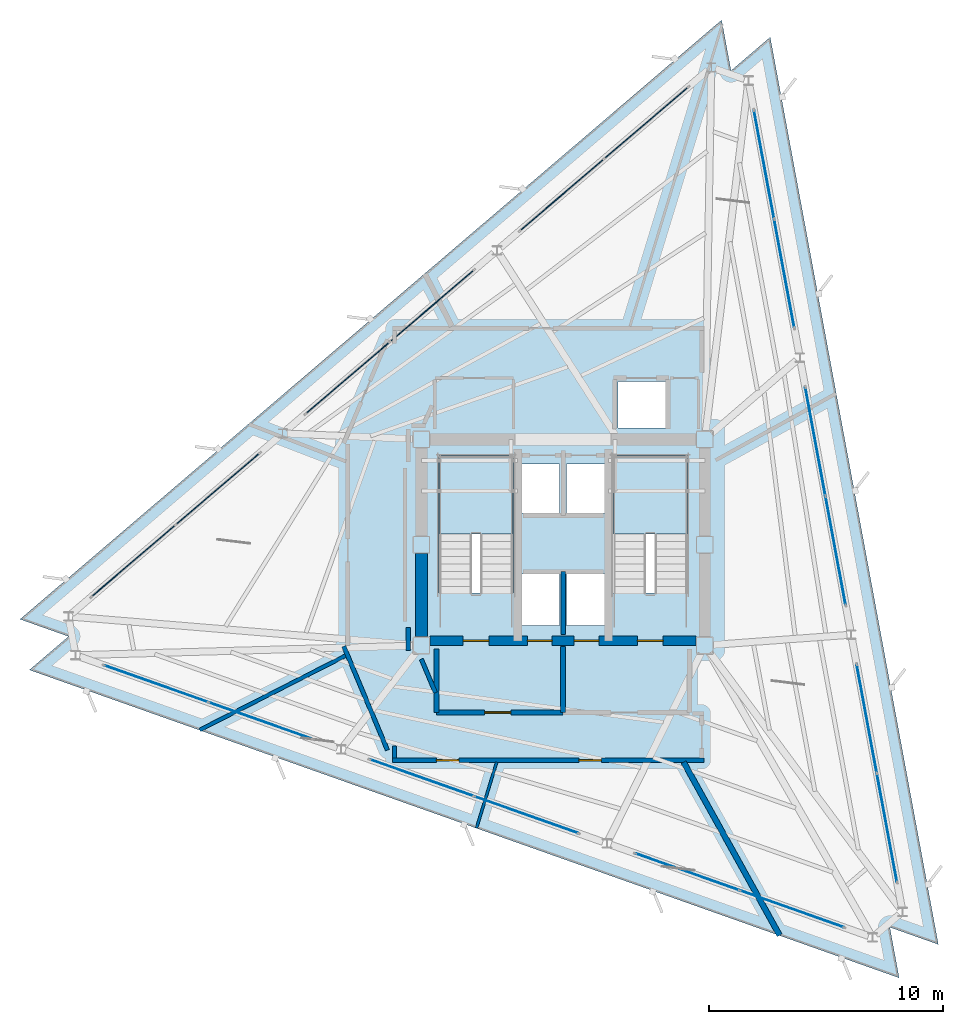
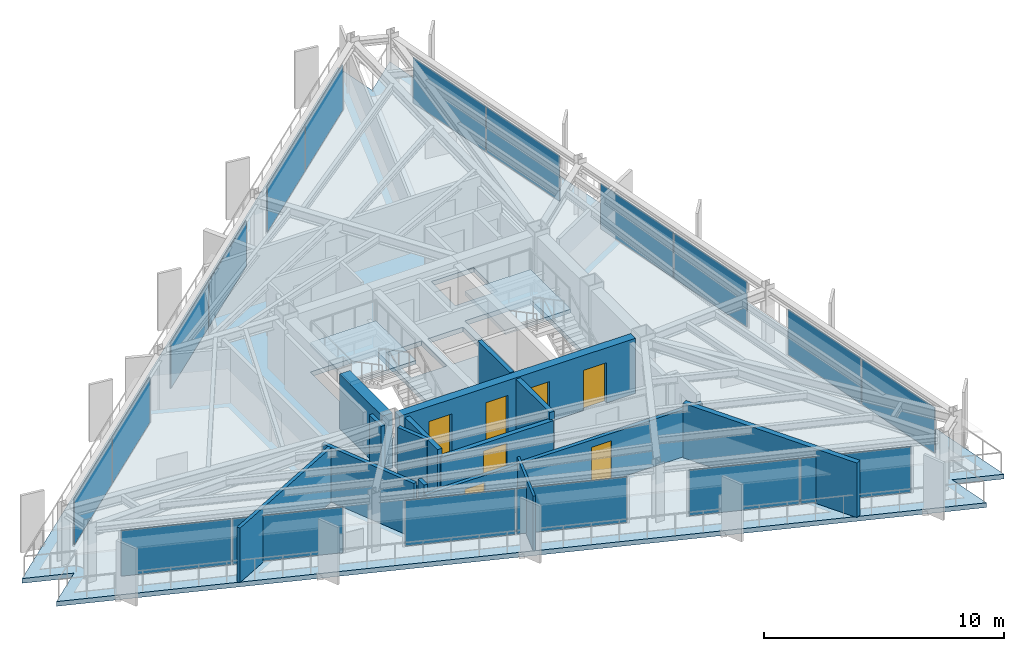
# One storey, part 8 of 14: 18 plates, 14 walls, 7 doors, 3 slabs, 7 openings, 11 elements without a shape of their own.
"""IFC4 building model written with IfcOpenShell, lengths in metres."""

from ifc_helpers import new_model, si_unit, direction, frame, frame_2d, origin, origin_2d, place, context, subcontext, project, spatial, polyline, rectangle, outline, extrude, material, layer, layer_set, type_object, element, fill, aggregate, save


model = new_model("IFC4")

# Units and contexts
model_context = context("Model", 3, precision=1e-05, world=origin(), true_north=direction((0.0, 1.0)))
body_context = subcontext(model_context, "Body", "Model", "MODEL_VIEW")
ifc_project = project(units=[si_unit("LENGTHUNIT", "METRE"), si_unit("AREAUNIT", "SQUARE_METRE"), si_unit("VOLUMEUNIT", "CUBIC_METRE"), si_unit("PLANEANGLEUNIT", "RADIAN"), si_unit("MASSUNIT", "GRAM", prefix="KILO")], contexts=[model_context])

# Site, building, storey
site_placement = place(None, origin())
site = spatial("IfcSite", under=ifc_project, at=site_placement, CompositionType="ELEMENT")
building_placement = place(site_placement, origin())
building = spatial("IfcBuilding", under=site, at=building_placement, Name="Rocaltana Carrier Exchange", CompositionType="ELEMENT")
storey_placement = place(building_placement, frame((0.0, 0.0, 178.39990234375)))
storey = spatial("IfcBuildingStorey", under=building, at=storey_placement, Name="L56", CompositionType="ELEMENT", Elevation=178.39990234375)

# Curtain wall, plates
ifc_material_1 = material(Name="Aluminium 6063-T6", Category="aluminium")
ifc_layer_1 = layer(ifc_material_1, 0.135009765625)
ifc_layer_set_1 = layer_set([ifc_layer_1], Name="Aluminium 6063-T6")
curtain_wall_type = type_object("IfcCurtainWallType", Name="Upper-Mid Acoustic Curtain Wall CW-04", PredefinedType="NOTDEFINED", material=ifc_layer_set_1)
curtain_wall_1_placement = place(storey_placement, origin())
curtain_wall_1 = element("IfcCurtainWall", 1, at=curtain_wall_1_placement, inside=storey, type_object=curtain_wall_type, Name="L56 CW-04 Run CW-L56-F1S1", PredefinedType="NOTDEFINED")
ifc_material_2 = material(Name="Tempered Laminated Glass", Category="glass")
ifc_layer_2 = layer(ifc_material_2, 0.0380859375)
ifc_layer_set_2 = layer_set([ifc_layer_2], Name="Tempered Laminated Glass")
plate_type = type_object("IfcPlateType", Name="CW-04 Stone-Insulated Vision Panel", PredefinedType="CURTAIN_PANEL", material=ifc_layer_set_2)
plate_1_placement = place(storey_placement, frame((13.827392578125, -12.0830078125, 0.06494140625), z_axis=(0.0, 0.0, 1.0), x_axis=(-0.182234247149, 0.98325514449, 0.0)))
plate_1 = element("IfcPlate", 2, at=plate_1_placement, type_object=plate_type, Name="CW-04 panel 1.1", PredefinedType="CURTAIN_PANEL", context=body_context, shape_type="SweptSolid", body=[
    extrude(rectangle(XDim=4.669189453125, YDim=0.0380859375, at=origin_2d()), origin(), (0.0, 0.0, 1.0), 2.318115234375),
])
plate_2_placement = place(storey_placement, frame((12.964599609375, -7.427978515625, 0.06494140625), z_axis=(0.0, 0.0, 1.0), x_axis=(-0.182234247149, 0.98325514449, 0.0)))
plate_2 = element("IfcPlate", 3, at=plate_2_placement, type_object=plate_type, Name="CW-04 panel 2.1", PredefinedType="CURTAIN_PANEL", context=body_context, shape_type="SweptSolid", body=[
    extrude(rectangle(XDim=4.669189453125, YDim=0.0380859375, at=origin_2d()), origin(), (0.0, 0.0, 1.0), 2.318115234375),
])
aggregate(curtain_wall_1, [plate_1, plate_2])

curtain_wall_2_placement = place(storey_placement, origin())
curtain_wall_2 = element("IfcCurtainWall", 4, at=curtain_wall_2_placement, inside=storey, type_object=curtain_wall_type, Name="L56 CW-04 Run CW-L56-F1S2", PredefinedType="NOTDEFINED")
plate_3_placement = place(storey_placement, frame((11.634521484375, -0.2509765625, 0.06494140625), z_axis=(0.0, 0.0, 1.0), x_axis=(-0.182236126712, 0.983254796134, 0.0)))
plate_3 = element("IfcPlate", 5, at=plate_3_placement, type_object=plate_type, Name="CW-04 panel 1.1", PredefinedType="CURTAIN_PANEL", context=body_context, shape_type="SweptSolid", body=[
    extrude(rectangle(XDim=4.669189453125, YDim=0.0380859375, at=origin_2d()), origin(), (0.0, 0.0, 1.0), 2.318115234375),
])
plate_4_placement = place(storey_placement, frame((10.771728515625, 4.40380859375, 0.06494140625), z_axis=(0.0, 0.0, 1.0), x_axis=(-0.182236126712, 0.983254796134, 0.0)))
plate_4 = element("IfcPlate", 6, at=plate_4_placement, type_object=plate_type, Name="CW-04 panel 2.1", PredefinedType="CURTAIN_PANEL", context=body_context, shape_type="SweptSolid", body=[
    extrude(rectangle(XDim=4.669189453125, YDim=0.0380859375, at=origin_2d()), origin(), (0.0, 0.0, 1.0), 2.318115234375),
])
aggregate(curtain_wall_2, [plate_3, plate_4])

curtain_wall_3_placement = place(storey_placement, origin())
curtain_wall_3 = element("IfcCurtainWall", 7, at=curtain_wall_3_placement, inside=storey, type_object=curtain_wall_type, Name="L56 CW-04 Run CW-L56-F1S3", PredefinedType="NOTDEFINED")
plate_5_placement = place(storey_placement, frame((9.441650390625, 11.580810546875, 0.06494140625), z_axis=(0.0, 0.0, 1.0), x_axis=(-0.182236126712, 0.983254796134, 0.0)))
plate_5 = element("IfcPlate", 8, at=plate_5_placement, type_object=plate_type, Name="CW-04 panel 1.1", PredefinedType="CURTAIN_PANEL", context=body_context, shape_type="SweptSolid", body=[
    extrude(rectangle(XDim=4.669189453125, YDim=0.0380859375, at=origin_2d()), origin(), (0.0, 0.0, 1.0), 2.318115234375),
])
plate_6_placement = place(storey_placement, frame((8.578857421875, 16.235595703125, 0.06494140625), z_axis=(0.0, 0.0, 1.0), x_axis=(-0.182236126712, 0.983254796134, 0.0)))
plate_6 = element("IfcPlate", 9, at=plate_6_placement, type_object=plate_type, Name="CW-04 panel 2.1", PredefinedType="CURTAIN_PANEL", context=body_context, shape_type="SweptSolid", body=[
    extrude(rectangle(XDim=4.669189453125, YDim=0.0380859375, at=origin_2d()), origin(), (0.0, 0.0, 1.0), 2.318115234375),
])
aggregate(curtain_wall_3, [plate_5, plate_6])

curtain_wall_4_placement = place(storey_placement, origin())
curtain_wall_4 = element("IfcCurtainWall", 10, at=curtain_wall_4_placement, inside=storey, type_object=curtain_wall_type, Name="L56 CW-04 Run CW-L56-F2S1", PredefinedType="NOTDEFINED")
plate_7_placement = place(storey_placement, frame((3.55029296875, 18.016357421875, 0.06494140625), z_axis=(0.0, 0.0, 1.0), x_axis=(-0.760406053922, -0.649447944918, 0.0)))
plate_7 = element("IfcPlate", 11, at=plate_7_placement, type_object=plate_type, Name="CW-04 panel 1.1", PredefinedType="CURTAIN_PANEL", context=body_context, shape_type="SweptSolid", body=[
    extrude(rectangle(XDim=4.669189453125, YDim=0.0380859375, at=origin_2d()), origin(), (0.0, 0.0, 1.0), 2.318115234375),
])
plate_8_placement = place(storey_placement, frame((-0.049560546875, 14.94189453125, 0.06494140625), z_axis=(0.0, 0.0, 1.0), x_axis=(-0.760406053922, -0.649447944918, 0.0)))
plate_8 = element("IfcPlate", 12, at=plate_8_placement, type_object=plate_type, Name="CW-04 panel 2.1", PredefinedType="CURTAIN_PANEL", context=body_context, shape_type="SweptSolid", body=[
    extrude(rectangle(XDim=4.669189453125, YDim=0.0380859375, at=origin_2d()), origin(), (0.0, 0.0, 1.0), 2.318115234375),
])
aggregate(curtain_wall_4, [plate_7, plate_8])

curtain_wall_5_placement = place(storey_placement, origin())
curtain_wall_5 = element("IfcCurtainWall", 13, at=curtain_wall_5_placement, inside=storey, type_object=curtain_wall_type, Name="L56 CW-04 Run CW-L56-F2S2", PredefinedType="NOTDEFINED")
plate_9_placement = place(storey_placement, frame((-5.599853515625, 10.201416015625, 0.06494140625), z_axis=(0.0, 0.0, 1.0), x_axis=(-0.760400873756, -0.649454010067, 0.0)))
plate_9 = element("IfcPlate", 14, at=plate_9_placement, type_object=plate_type, Name="CW-04 panel 1.1", PredefinedType="CURTAIN_PANEL", context=body_context, shape_type="SweptSolid", body=[
    extrude(rectangle(XDim=4.669189453125, YDim=0.0380859375, at=origin_2d()), origin(), (0.0, 0.0, 1.0), 2.318115234375),
])
plate_10_placement = place(storey_placement, frame((-9.19970703125, 7.126708984375, 0.06494140625), z_axis=(0.0, 0.0, 1.0), x_axis=(-0.760400873756, -0.649454010067, 0.0)))
plate_10 = element("IfcPlate", 15, at=plate_10_placement, type_object=plate_type, Name="CW-04 panel 2.1", PredefinedType="CURTAIN_PANEL", context=body_context, shape_type="SweptSolid", body=[
    extrude(rectangle(XDim=4.669189453125, YDim=0.0380859375, at=origin_2d()), origin(), (0.0, 0.0, 1.0), 2.318115234375),
])
aggregate(curtain_wall_5, [plate_9, plate_10])

curtain_wall_6_placement = place(storey_placement, origin())
curtain_wall_6 = element("IfcCurtainWall", 16, at=curtain_wall_6_placement, inside=storey, type_object=curtain_wall_type, Name="L56 CW-04 Run CW-L56-F2S3", PredefinedType="NOTDEFINED")
plate_11_placement = place(storey_placement, frame((-14.75, 2.38623046875, 0.06494140625), z_axis=(0.0, 0.0, 1.0), x_axis=(-0.760406053922, -0.649447944918, 0.0)))
plate_11 = element("IfcPlate", 17, at=plate_11_placement, type_object=plate_type, Name="CW-04 panel 1.1", PredefinedType="CURTAIN_PANEL", context=body_context, shape_type="SweptSolid", body=[
    extrude(rectangle(XDim=4.669189453125, YDim=0.0380859375, at=origin_2d()), origin(), (0.0, 0.0, 1.0), 2.318115234375),
])
plate_12_placement = place(storey_placement, frame((-18.349853515625, -0.688232421875, 0.06494140625), z_axis=(0.0, 0.0, 1.0), x_axis=(-0.760406053922, -0.649447944918, 0.0)))
plate_12 = element("IfcPlate", 18, at=plate_12_placement, type_object=plate_type, Name="CW-04 panel 2.1", PredefinedType="CURTAIN_PANEL", context=body_context, shape_type="SweptSolid", body=[
    extrude(rectangle(XDim=4.669189453125, YDim=0.0380859375, at=origin_2d()), origin(), (0.0, 0.0, 1.0), 2.318115234375),
])
aggregate(curtain_wall_6, [plate_11, plate_12])

curtain_wall_7_placement = place(storey_placement, origin())
curtain_wall_7 = element("IfcCurtainWall", 19, at=curtain_wall_7_placement, inside=storey, type_object=curtain_wall_type, Name="L56 CW-04 Run CW-L56-F3S1", PredefinedType="NOTDEFINED")
plate_13_placement = place(storey_placement, frame((-17.3779296875, -5.93359375, 0.06494140625), z_axis=(0.0, 0.0, 1.0), x_axis=(0.942645516582, -0.333795491383, 0.0)))
plate_13 = element("IfcPlate", 20, at=plate_13_placement, type_object=plate_type, Name="CW-04 panel 1.1", PredefinedType="CURTAIN_PANEL", context=body_context, shape_type="SweptSolid", body=[
    extrude(rectangle(XDim=4.669189453125, YDim=0.0380859375, at=origin_2d()), origin(), (0.0, 0.0, 1.0), 2.318115234375),
])
plate_14_placement = place(storey_placement, frame((-12.915283203125, -7.513671875, 0.06494140625), z_axis=(0.0, 0.0, 1.0), x_axis=(0.942645516582, -0.333795491383, 0.0)))
plate_14 = element("IfcPlate", 21, at=plate_14_placement, type_object=plate_type, Name="CW-04 panel 2.1", PredefinedType="CURTAIN_PANEL", context=body_context, shape_type="SweptSolid", body=[
    extrude(rectangle(XDim=4.669189453125, YDim=0.0380859375, at=origin_2d()), origin(), (0.0, 0.0, 1.0), 2.318115234375),
])
aggregate(curtain_wall_7, [plate_13, plate_14])

curtain_wall_8_placement = place(storey_placement, origin())
curtain_wall_8 = element("IfcCurtainWall", 22, at=curtain_wall_8_placement, inside=storey, type_object=curtain_wall_type, Name="L56 CW-04 Run CW-L56-F3S2", PredefinedType="NOTDEFINED")
plate_15_placement = place(storey_placement, frame((-6.03466796875, -9.9501953125, 0.06494140625), z_axis=(0.0, 0.0, 1.0), x_axis=(0.942644347833, -0.333798791936, 0.0)))
plate_15 = element("IfcPlate", 23, at=plate_15_placement, type_object=plate_type, Name="CW-04 panel 1.1", PredefinedType="CURTAIN_PANEL", context=body_context, shape_type="SweptSolid", body=[
    extrude(rectangle(XDim=4.669189453125, YDim=0.0380859375, at=origin_2d()), origin(), (0.0, 0.0, 1.0), 2.318115234375),
])
plate_16_placement = place(storey_placement, frame((-1.572021484375, -11.530517578125, 0.06494140625), z_axis=(0.0, 0.0, 1.0), x_axis=(0.942644347833, -0.333798791936, 0.0)))
plate_16 = element("IfcPlate", 24, at=plate_16_placement, type_object=plate_type, Name="CW-04 panel 2.1", PredefinedType="CURTAIN_PANEL", context=body_context, shape_type="SweptSolid", body=[
    extrude(rectangle(XDim=4.669189453125, YDim=0.0380859375, at=origin_2d()), origin(), (0.0, 0.0, 1.0), 2.318115234375),
])
aggregate(curtain_wall_8, [plate_15, plate_16])

curtain_wall_9_placement = place(storey_placement, origin())
curtain_wall_9 = element("IfcCurtainWall", 25, at=curtain_wall_9_placement, inside=storey, type_object=curtain_wall_type, Name="L56 CW-04 Run CW-L56-F3S3", PredefinedType="NOTDEFINED")
plate_17_placement = place(storey_placement, frame((5.308349609375, -13.967041015625, 0.06494140625), z_axis=(0.0, 0.0, 1.0), x_axis=(0.942644347833, -0.333798791936, 0.0)))
plate_17 = element("IfcPlate", 26, at=plate_17_placement, type_object=plate_type, Name="CW-04 panel 1.1", PredefinedType="CURTAIN_PANEL", context=body_context, shape_type="SweptSolid", body=[
    extrude(rectangle(XDim=4.669189453125, YDim=0.0380859375, at=origin_2d()), origin(), (0.0, 0.0, 1.0), 2.318115234375),
])
plate_18_placement = place(storey_placement, frame((9.77099609375, -15.54736328125, 0.06494140625), z_axis=(0.0, 0.0, 1.0), x_axis=(0.942644347833, -0.333798791936, 0.0)))
plate_18 = element("IfcPlate", 27, at=plate_18_placement, type_object=plate_type, Name="CW-04 panel 2.1", PredefinedType="CURTAIN_PANEL", context=body_context, shape_type="SweptSolid", body=[
    extrude(rectangle(XDim=4.669189453125, YDim=0.0380859375, at=origin_2d()), origin(), (0.0, 0.0, 1.0), 2.318115234375),
])
aggregate(curtain_wall_9, [plate_17, plate_18])

# Slab
ifc_material_3 = material(Name="Concrete C50/60", Category="concrete")
ifc_layer_3 = layer(ifc_material_3, 0.239990234375)
ifc_layer_set_3 = layer_set([ifc_layer_3], Name="Concrete C50/60")
slab_type_1 = type_object("IfcSlabType", Name="High-Zone Tower Slab 240", PredefinedType="FLOOR", material=ifc_layer_set_3)
slab_1_placement = place(storey_placement, frame((0.0, 0.0, -0.239990234375)))
element("IfcSlab", 28, at=slab_1_placement, inside=storey, type_object=slab_type_1, Name="L56 Structural Floor Slab", PredefinedType="FLOOR", context=body_context, shape_type="SweptSolid", body=[
    extrude(outline(polyline([(14.349365234375, -18.49462890625), (13.948486328125, -16.33154296875), (16.022216796875, -17.06591796875), (8.84228515625, 21.67431640625), (7.169189453125, 20.24560546875), (6.768310546875, 22.40869140625), (-23.191650390625, -3.1796875), (-21.117919921875, -3.9140625), (-22.790771484375, -5.3427734375), (14.349365234375, -18.49462890625)]), holes=[polyline([(-5.300048828125, -2.06005859375), (-2.139892578125, -2.06005859375), (-2.139892578125, 3.800048828125), (-5.300048828125, 3.800048828125), (-5.300048828125, -2.06005859375)]), polyline([(2.139892578125, -2.06005859375), (5.300048828125, -2.06005859375), (5.300048828125, 3.800048828125), (2.139892578125, 3.800048828125), (2.139892578125, -2.06005859375)]), polyline([(-1.85009765625, -3.449951171875), (-0.14990234375, -3.449951171875), (-0.14990234375, -1.25), (-1.85009765625, -1.25), (-1.85009765625, -3.449951171875)]), polyline([(0.14990234375, -3.449951171875), (1.85009765625, -3.449951171875), (1.85009765625, -1.25), (0.14990234375, -1.25), (0.14990234375, -3.449951171875)]), polyline([(2.35009765625, 4.97998046875), (4.39990234375, 4.97998046875), (4.39990234375, 6.97998046875), (2.35009765625, 6.97998046875), (2.35009765625, 4.97998046875)]), polyline([(-1.85009765625, 1.35009765625), (-0.14990234375, 1.35009765625), (-0.14990234375, 3.449951171875), (-1.85009765625, 3.449951171875), (-1.85009765625, 1.35009765625)]), polyline([(0.14990234375, 1.35009765625), (1.85009765625, 1.35009765625), (1.85009765625, 3.449951171875), (0.14990234375, 3.449951171875), (0.14990234375, 1.35009765625)])]), origin(), (0.0, 0.0, 1.0), 0.239990234375),
])

# Stair, slab
ifc_material_4 = material(Name="Precast concrete C45/55", Category="concrete")
stair_type = type_object("IfcStairType", Name="Standard Dog-Leg Stair 160", PredefinedType="HALF_TURN_STAIR", material=ifc_material_4)
stair_1_placement = place(storey_placement, origin())
stair_1 = element("IfcStair", 29, at=stair_1_placement, inside=storey, type_object=stair_type, Name="L56 Core West Exit Stair ST-1", PredefinedType="HALF_TURN_STAIR")
ifc_material_5 = material(Name="Precast concrete C45/55", Category="concrete")
ifc_layer_4 = layer(ifc_material_5, 0.199951171875)
ifc_layer_set_4 = layer_set([ifc_layer_4], Name="Precast concrete C45/55")
slab_type_2 = type_object("IfcSlabType", Name="Precast Stair Half-Landing 200", PredefinedType="LANDING", material=ifc_layer_set_4)
slab_2_placement = place(storey_placement, frame((0.0, 0.0, 1.320068359375)))
slab_2 = element("IfcSlab", 30, at=slab_2_placement, type_object=slab_type_2, Name="ST-1 landing 1", PredefinedType="LANDING", context=body_context, shape_type="SweptSolid", body=[
    extrude(outline(polyline([(-2.139892578125, 0.4599609375), (-2.139892578125, 3.800048828125), (-5.300048828125, 3.800048828125), (-5.300048828125, 0.4599609375), (-2.139892578125, 0.4599609375)])), origin(), (0.0, 0.0, 1.0), 0.199951171875),
])
aggregate(stair_1, [slab_2])

stair_2_placement = place(storey_placement, origin())
stair_2 = element("IfcStair", 31, at=stair_2_placement, inside=storey, type_object=stair_type, Name="L56 Core East Exit Stair ST-2", PredefinedType="HALF_TURN_STAIR")
slab_3_placement = place(storey_placement, frame((0.0, 0.0, 1.320068359375)))
slab_3 = element("IfcSlab", 32, at=slab_3_placement, type_object=slab_type_2, Name="ST-2 landing 1", PredefinedType="LANDING", context=body_context, shape_type="SweptSolid", body=[
    extrude(outline(polyline([(5.300048828125, 0.4599609375), (5.300048828125, 3.800048828125), (2.139892578125, 3.800048828125), (2.139892578125, 0.4599609375), (5.300048828125, 0.4599609375)])), origin(), (0.0, 0.0, 1.0), 0.199951171875),
])
aggregate(stair_2, [slab_3])

# Wall
ifc_material_6 = material(Name="Double Acoustic Gypsum Partition", Category="gypsum")
ifc_layer_5 = layer(ifc_material_6, 0.159912109375)
ifc_layer_set_5 = layer_set([ifc_layer_5], Name="Double Acoustic Gypsum Partition")
wall_type_1 = type_object("IfcWallType", Name="Acoustic Studio Partition 160 EI60", PredefinedType="PARTITIONING", material=ifc_layer_set_5)
wall_1_placement = place(storey_placement, frame((-9.28564453125, -4.731201171875, 0.0), z_axis=(0.0, 0.0, 1.0), x_axis=(-0.891002207928, -0.453998970778, 0.0)))
element("IfcWall", 33, at=wall_1_placement, inside=storey, type_object=wall_type_1, Name="L56 Suite Divider Wall D1", PredefinedType="PARTITIONING", context=body_context, shape_type="SweptSolid", body=[
    extrude(rectangle(XDim=6.99560546875, YDim=0.159912109375, at=frame_2d((3.497802734375, 0.0))), origin(), (0.0, 0.0, 1.0), 2.773193359375),
])

# Wall, openings, doors
ifc_material_7 = material(Name="Concrete C50/60", Category="concrete")
ifc_layer_6 = layer(ifc_material_7, 0.39990234375)
ifc_layer_set_6 = layer_set([ifc_layer_6], Name="Concrete C50/60")
wall_type_2 = type_object("IfcWallType", Name="Core Internal Shear Wall 400", PredefinedType="SHEAR", material=ifc_layer_set_6)
wall_2_placement = place(storey_placement, frame((-5.675048828125, -4.10009765625, 0.0), z_axis=(0.0, 0.0, 1.0), x_axis=(1.0, 0.0, 0.0)))
wall_2 = element("IfcWall", 34, at=wall_2_placement, inside=storey, type_object=wall_type_2, Name="L56 Core Shear Wall CW-S", PredefinedType="SHEAR", context=body_context, shape_type="SweptSolid", body=[
    extrude(rectangle(XDim=11.35009765625, YDim=0.39990234375, at=frame_2d((5.675048828125, 0.0))), origin(), (0.0, 0.0, 1.0), 2.798095703125),
])
opening_1_placement = place(wall_2_placement, frame((1.405029296875, 0.0, 0.0)))
opening_1 = element("IfcOpeningElement", 35, at=opening_1_placement, cuts=wall_2, Name="Opening D-ST110", PredefinedType="OPENING", context=body_context, shape_type="SweptSolid", body=[
    extrude(rectangle(XDim=1.10009765625, YDim=2.0400390625, at=frame_2d((0.550048828125, 1.02001953125))), frame((0.0, 0.2099609375, 0.0), z_axis=(0.0, -1.0, 0.0), x_axis=(1.0, 0.0, 0.0)), (0.0, 0.0, 1.0), 0.419921875),
])
opening_2_placement = place(wall_2_placement, frame((8.844970703125, 0.0, 0.0)))
opening_2 = element("IfcOpeningElement", 36, at=opening_2_placement, cuts=wall_2, Name="Opening D-ST110", PredefinedType="OPENING", context=body_context, shape_type="SweptSolid", body=[
    extrude(rectangle(XDim=1.10009765625, YDim=2.0400390625, at=frame_2d((0.550048828125, 1.02001953125))), frame((0.0, 0.2099609375, 0.0), z_axis=(0.0, -1.0, 0.0), x_axis=(1.0, 0.0, 0.0)), (0.0, 0.0, 1.0), 0.419921875),
])
opening_3_placement = place(wall_2_placement, frame((4.14501953125, 0.0, 0.0)))
opening_3 = element("IfcOpeningElement", 37, at=opening_3_placement, cuts=wall_2, Name="Opening LD-110", PredefinedType="OPENING", context=body_context, shape_type="SweptSolid", body=[
    extrude(rectangle(XDim=1.06005859375, YDim=2.0400390625, at=frame_2d((0.530029296875, 1.02001953125))), frame((0.0, 0.2099609375, 0.0), z_axis=(0.0, -1.0, 0.0), x_axis=(1.0, 0.0, 0.0)), (0.0, 0.0, 1.0), 0.419921875),
])
opening_4_placement = place(wall_2_placement, frame((6.14501953125, 0.0, 0.0)))
opening_4 = element("IfcOpeningElement", 38, at=opening_4_placement, cuts=wall_2, Name="Opening LD-110", PredefinedType="OPENING", context=body_context, shape_type="SweptSolid", body=[
    extrude(rectangle(XDim=1.06005859375, YDim=2.0400390625, at=frame_2d((0.530029296875, 1.02001953125))), frame((0.0, 0.2099609375, 0.0), z_axis=(0.0, -1.0, 0.0), x_axis=(1.0, 0.0, 0.0)), (0.0, 0.0, 1.0), 0.419921875),
])
ifc_material_8 = material(Name="Hollow Metal Fire Door Assembly", Category="steel")
door_type_1 = type_object("IfcDoorType", Name="Exit Stair Fire Door 1100x2040 FD90S", OperationType="NOTDEFINED", PredefinedType="DOOR", material=ifc_material_8)
door_1_placement = place(opening_1_placement, origin())
door_1 = element("IfcDoor", 39, at=door_1_placement, inside=storey, type_object=door_type_1, Name="L56 Exit Stair ST1 Fire Door", OperationType="SINGLE_SWING_LEFT", OverallHeight=2.0400390625, OverallWidth=1.10009765625, PredefinedType="DOOR", context=body_context, shape_type="SweptSolid", body=[
    extrude(rectangle(XDim=1.10009765625, YDim=2.0400390625, at=frame_2d((0.550048828125, 1.02001953125))), frame((0.0, 0.02490234375, 0.0), z_axis=(0.0, -1.0, 0.0), x_axis=(1.0, 0.0, 0.0)), (0.0, 0.0, 1.0), 0.050048828125),
])
fill(opening_1, door_1)
door_2_placement = place(opening_2_placement, origin())
door_2 = element("IfcDoor", 40, at=door_2_placement, inside=storey, type_object=door_type_1, Name="L56 Exit Stair ST2 Fire Door", OperationType="SINGLE_SWING_RIGHT", OverallHeight=2.0400390625, OverallWidth=1.10009765625, PredefinedType="DOOR", context=body_context, shape_type="SweptSolid", body=[
    extrude(rectangle(XDim=1.10009765625, YDim=2.0400390625, at=frame_2d((0.550048828125, 1.02001953125))), frame((0.0, 0.02490234375, 0.0), z_axis=(0.0, -1.0, 0.0), x_axis=(1.0, 0.0, 0.0)), (0.0, 0.0, 1.0), 0.050048828125),
])
fill(opening_2, door_2)
ifc_material_9 = material(Name="Brushed Stainless Sliding Door Leaf", Category="steel")
door_type_2 = type_object("IfcDoorType", Name="Lift Landing Sliding Door 1060x2040", OperationType="NOTDEFINED", PredefinedType="DOOR", material=ifc_material_9)
door_3_placement = place(opening_3_placement, origin())
door_3 = element("IfcDoor", 41, at=door_3_placement, inside=storey, type_object=door_type_2, Name="L56 Firefighting Lift FFL1 Landing Door", OperationType="SLIDING_TO_LEFT", OverallHeight=2.0400390625, OverallWidth=1.06005859375, PredefinedType="DOOR", context=body_context, shape_type="SweptSolid", body=[
    extrude(rectangle(XDim=1.06005859375, YDim=2.0400390625, at=frame_2d((0.530029296875, 1.02001953125))), frame((0.0, 0.02490234375, 0.0), z_axis=(0.0, -1.0, 0.0), x_axis=(1.0, 0.0, 0.0)), (0.0, 0.0, 1.0), 0.050048828125),
])
fill(opening_3, door_3)
door_4_placement = place(opening_4_placement, origin())
door_4 = element("IfcDoor", 42, at=door_4_placement, inside=storey, type_object=door_type_2, Name="L56 Firefighting Lift FFL2 Landing Door", OperationType="SLIDING_TO_RIGHT", OverallHeight=2.0400390625, OverallWidth=1.06005859375, PredefinedType="DOOR", context=body_context, shape_type="SweptSolid", body=[
    extrude(rectangle(XDim=1.06005859375, YDim=2.0400390625, at=frame_2d((0.530029296875, 1.02001953125))), frame((0.0, 0.02490234375, 0.0), z_axis=(0.0, -1.0, 0.0), x_axis=(1.0, 0.0, 0.0)), (0.0, 0.0, 1.0), 0.050048828125),
])
fill(opening_4, door_4)

# Walls
ifc_material_10 = material(Name="Concrete C50/60", Category="concrete")
ifc_layer_7 = layer(ifc_material_10, 0.5)
ifc_layer_set_7 = layer_set([ifc_layer_7], Name="Concrete C50/60")
wall_type_3 = type_object("IfcWallType", Name="Core Shear Wall 500", PredefinedType="SHEAR", material=ifc_layer_set_7)
wall_3_placement = place(storey_placement, frame((-6.050048828125, -3.925048828125, 0.0), z_axis=(0.0, 0.0, 1.0), x_axis=(0.0, 1.0, 0.0)))
element("IfcWall", 43, at=wall_3_placement, inside=storey, type_object=wall_type_3, Name="L56 Core Shear Wall CW-WS", PredefinedType="SHEAR", context=body_context, shape_type="SweptSolid", body=[
    extrude(rectangle(XDim=3.550048828125, YDim=0.5, at=frame_2d((1.77490234375, 0.0))), origin(), (0.0, 0.0, 1.0), 2.798095703125),
])
ifc_material_11 = material(Name="Gypsum & Steel Stud Partition", Category="steel")
ifc_layer_8 = layer(ifc_material_11, 0.179931640625)
ifc_layer_set_8 = layer_set([ifc_layer_8], Name="Gypsum & Steel Stud Partition")
wall_type_4 = type_object("IfcWallType", Name="Corridor Fire Partition 180 EI60", PredefinedType="PARTITIONING", material=ifc_layer_set_8)
wall_4_placement = place(storey_placement, frame((-7.501220703125, -8.768798828125, 0.0), z_axis=(0.0, 0.0, 1.0), x_axis=(-0.387573945081, 0.921838617706, 0.0)))
element("IfcWall", 44, at=wall_4_placement, inside=storey, type_object=wall_type_4, Name="L56 Corridor Partition 1", PredefinedType="PARTITIONING", context=body_context, shape_type="SweptSolid", body=[
    extrude(rectangle(XDim=4.813232421875, YDim=0.179931640625, at=frame_2d((2.40673828125, 0.0))), origin(), (0.0, 0.0, 1.0), 2.773193359375),
])
wall_5_placement = place(storey_placement, frame((-6.610107421875, -3.541259765625, 0.0), z_axis=(0.0, 0.0, 1.0), x_axis=(0.0, -1.0, 0.0)))
element("IfcWall", 45, at=wall_5_placement, inside=storey, type_object=wall_type_4, Name="L56 Corridor Partition 12", PredefinedType="PARTITIONING", context=body_context, shape_type="SweptSolid", body=[
    extrude(rectangle(XDim=0.978759765625, YDim=0.179931640625, at=frame_2d((0.4892578125, 0.0))), origin(), (0.0, 0.0, 1.0), 2.773193359375),
])
wall_6_placement = place(storey_placement, frame((-6.0546875, -4.881591796875, 0.0), z_axis=(0.0, 0.0, 1.0), x_axis=(0.387579540458, -0.921836265189, 0.0)))
element("IfcWall", 46, at=wall_6_placement, inside=storey, type_object=wall_type_4, Name="L56 Corridor Partition 13", PredefinedType="PARTITIONING", context=body_context, shape_type="SweptSolid", body=[
    extrude(rectangle(XDim=1.5546875, YDim=0.179931640625, at=frame_2d((0.77734375, 0.0))), origin(), (0.0, 0.0, 1.0), 2.773193359375),
])

# Wall, openings, doors
wall_7_placement = place(storey_placement, frame((6.010009765625, -9.199951171875, 0.0), z_axis=(0.0, 0.0, 1.0), x_axis=(-1.0, 0.0, 0.0)))
wall_7 = element("IfcWall", 47, at=wall_7_placement, inside=storey, type_object=wall_type_4, Name="L56 Corridor Partition 16", PredefinedType="PARTITIONING", context=body_context, shape_type="SweptSolid", body=[
    extrude(rectangle(XDim=13.300048828125, YDim=0.179931640625, at=frame_2d((6.64990234375, 0.0))), origin(), (0.0, 0.0, 1.0), 2.39501953125),
])
opening_5_placement = place(wall_7_placement, frame((10.46533203125, 0.0, 0.0)))
opening_5 = element("IfcOpeningElement", 48, at=opening_5_placement, cuts=wall_7, Name="Opening D-RM098", PredefinedType="OPENING", context=body_context, shape_type="SweptSolid", body=[
    extrude(rectangle(XDim=0.9599609375, YDim=2.02001953125, at=frame_2d((0.47998046875, 1.010009765625))), frame((0.0, 0.099853515625, 0.0), z_axis=(0.0, -1.0, 0.0), x_axis=(1.0, 0.0, 0.0)), (0.0, 0.0, 1.0), 0.199951171875),
])
opening_6_placement = place(wall_7_placement, frame((4.373291015625, 0.0, 0.0)))
opening_6 = element("IfcOpeningElement", 49, at=opening_6_placement, cuts=wall_7, Name="Opening D-RM098", PredefinedType="OPENING", context=body_context, shape_type="SweptSolid", body=[
    extrude(rectangle(XDim=0.9599609375, YDim=2.02001953125, at=frame_2d((0.47998046875, 1.010009765625))), frame((0.0, 0.099853515625, 0.0), z_axis=(0.0, -1.0, 0.0), x_axis=(1.0, 0.0, 0.0)), (0.0, 0.0, 1.0), 0.199951171875),
])
ifc_material_12 = material(Name="Engineered Hardwood Timber", Category="wood")
door_type_3 = type_object("IfcDoorType", Name="Workspace Single Door 960x2020", OperationType="NOTDEFINED", PredefinedType="DOOR", material=ifc_material_12)
door_5_placement = place(opening_5_placement, origin())
door_5 = element("IfcDoor", 50, at=door_5_placement, inside=storey, type_object=door_type_3, Name="L56 Staff Break Pantry Entrance Door", OperationType="SINGLE_SWING_RIGHT", OverallHeight=2.02001953125, OverallWidth=0.9599609375, PredefinedType="DOOR", context=body_context, shape_type="SweptSolid", body=[
    extrude(rectangle(XDim=0.9599609375, YDim=2.02001953125, at=frame_2d((0.47998046875, 1.010009765625))), frame((0.0, 0.02490234375, 0.0), z_axis=(0.0, -1.0, 0.0), x_axis=(1.0, 0.0, 0.0)), (0.0, 0.0, 1.0), 0.050048828125),
])
fill(opening_5, door_5)
door_6_placement = place(opening_6_placement, origin())
door_6 = element("IfcDoor", 51, at=door_6_placement, inside=storey, type_object=door_type_3, Name="L56 Client Reception Foyer Entrance Door", OperationType="SINGLE_SWING_LEFT", OverallHeight=2.02001953125, OverallWidth=0.9599609375, PredefinedType="DOOR", context=body_context, shape_type="SweptSolid", body=[
    extrude(rectangle(XDim=0.9599609375, YDim=2.02001953125, at=frame_2d((0.47998046875, 1.010009765625))), frame((0.0, 0.02490234375, 0.0), z_axis=(0.0, -1.0, 0.0), x_axis=(1.0, 0.0, 0.0)), (0.0, 0.0, 1.0), 0.050048828125),
])
fill(opening_6, door_6)

# Walls
wall_8_placement = place(storey_placement, frame((-7.199951171875, -9.110107421875, 0.0), z_axis=(0.0, 0.0, 1.0), x_axis=(0.0, 1.0, 0.0)))
element("IfcWall", 52, at=wall_8_placement, inside=storey, type_object=wall_type_4, Name="L56 Corridor Partition 17", PredefinedType="PARTITIONING", context=body_context, shape_type="SweptSolid", body=[
    extrude(rectangle(XDim=0.509521484375, YDim=0.179931640625, at=frame_2d((0.2548828125, 0.0))), origin(), (0.0, 0.0, 1.0), 2.773193359375),
])
ifc_material_13 = material(Name="Aluminium 6063-T6 & Acoustic Glass", Category="aluminium")
ifc_layer_9 = layer(ifc_material_13, 0.114990234375)
ifc_layer_set_9 = layer_set([ifc_layer_9], Name="Aluminium 6063-T6 & Acoustic Glass")
wall_type_5 = type_object("IfcWallType", Name="Demountable Glazed Lab Partition 115", PredefinedType="MOVABLE", material=ifc_layer_set_9)
wall_9_placement = place(storey_placement, frame((-2.837158203125, -9.280029296875, 0.0), z_axis=(0.0, 0.0, 1.0), x_axis=(-0.292353462598, -0.95631033295, 0.0)))
element("IfcWall", 53, at=wall_9_placement, inside=storey, type_object=wall_type_5, Name="L56 Suite Divider Wall D2", PredefinedType="MOVABLE", context=body_context, shape_type="SweptSolid", body=[
    extrude(rectangle(XDim=2.94189453125, YDim=0.114990234375, at=frame_2d((1.470947265625, 0.0))), origin(), (0.0, 0.0, 1.0), 2.773193359375),
])
ifc_material_14 = material(Name="Autoclaved Aerated Concrete C30/37", Category="concrete")
ifc_layer_10 = layer(ifc_material_14, 0.219970703125)
ifc_layer_set_10 = layer_set([ifc_layer_10], Name="Autoclaved Aerated Concrete C30/37")
wall_type_6 = type_object("IfcWallType", Name="Firefighting Lobby Wall 220 EI120", PredefinedType="PARTITIONING", material=ifc_layer_set_10)
wall_10_placement = place(storey_placement, frame((-5.39990234375, -7.159912109375, 0.0), z_axis=(0.0, 0.0, 1.0), x_axis=(0.0, 1.0, 0.0)))
element("IfcWall", 54, at=wall_10_placement, inside=storey, type_object=wall_type_6, Name="L56 FFL Lobby 1 West Wall", PredefinedType="PARTITIONING", context=body_context, shape_type="SweptSolid", body=[
    extrude(rectangle(XDim=2.7099609375, YDim=0.219970703125, at=frame_2d((1.35498046875, 0.0))), origin(), (0.0, 0.0, 1.0), 2.773193359375),
])
wall_11_placement = place(storey_placement, frame((0.0, -7.159912109375, 0.0), z_axis=(0.0, 0.0, 1.0), x_axis=(0.0, 1.0, 0.0)))
element("IfcWall", 55, at=wall_11_placement, inside=storey, type_object=wall_type_6, Name="L56 FFL Lobby Centre Wall", PredefinedType="PARTITIONING", context=body_context, shape_type="SweptSolid", body=[
    extrude(rectangle(XDim=2.809814453125, YDim=0.219970703125, at=frame_2d((1.40478515625, 0.0))), origin(), (0.0, 0.0, 1.0), 2.773193359375),
])

# Wall, opening, door
wall_12_placement = place(storey_placement, frame((-5.39990234375, -7.159912109375, 0.0), z_axis=(0.0, 0.0, 1.0), x_axis=(1.0, 0.0, 0.0)))
wall_12 = element("IfcWall", 56, at=wall_12_placement, inside=storey, type_object=wall_type_6, Name="L56 FFL Lobby 1 South Wall", PredefinedType="PARTITIONING", context=body_context, shape_type="SweptSolid", body=[
    extrude(rectangle(XDim=5.39990234375, YDim=0.219970703125, at=frame_2d((2.699951171875, 0.0))), origin(), (0.0, 0.0, 1.0), 2.39501953125),
])
opening_7_placement = place(wall_12_placement, frame((2.050048828125, 0.0, 0.0)))
opening_7 = element("IfcOpeningElement", 57, at=opening_7_placement, cuts=wall_12, Name="Opening D-FF115", PredefinedType="OPENING", context=body_context, shape_type="SweptSolid", body=[
    extrude(rectangle(XDim=1.1201171875, YDim=2.02001953125, at=frame_2d((0.56005859375, 1.010009765625))), frame((0.0, 0.119873046875, 0.0), z_axis=(0.0, -1.0, 0.0), x_axis=(1.0, 0.0, 0.0)), (0.0, 0.0, 1.0), 0.239990234375),
])
ifc_material_15 = material(Name="Hollow Metal Fire Door Assembly", Category="steel")
door_type_4 = type_object("IfcDoorType", Name="Firefighting Lobby Door 1120x2020 FD60S", OperationType="NOTDEFINED", PredefinedType="DOOR", material=ifc_material_15)
door_7_placement = place(opening_7_placement, origin())
door_7 = element("IfcDoor", 58, at=door_7_placement, inside=storey, type_object=door_type_4, Name="L56 Firefighting Lift Lobby 1 Door", OperationType="SINGLE_SWING_LEFT", OverallHeight=2.02001953125, OverallWidth=1.1201171875, PredefinedType="DOOR", context=body_context, shape_type="SweptSolid", body=[
    extrude(rectangle(XDim=1.1201171875, YDim=2.02001953125, at=frame_2d((0.56005859375, 1.010009765625))), frame((0.0, 0.02490234375, 0.0), z_axis=(0.0, -1.0, 0.0), x_axis=(1.0, 0.0, 0.0)), (0.0, 0.0, 1.0), 0.050048828125),
])
fill(opening_7, door_7)

# Walls
ifc_material_16 = material(Name="Acoustic Calcium Silicate Partition", Category="gypsum")
ifc_layer_11 = layer(ifc_material_16, 0.239990234375)
ifc_layer_set_11 = layer_set([ifc_layer_11], Name="Acoustic Calcium Silicate Partition")
wall_type_7 = type_object("IfcWallType", Name="Heavy Lab Partition 240 EI90", PredefinedType="PARTITIONING", material=ifc_layer_set_11)
wall_13_placement = place(storey_placement, frame((5.14404296875, -9.280029296875, 0.0), z_axis=(0.0, 0.0, 1.0), x_axis=(0.484804355006, -0.874622625689, 0.0)))
element("IfcWall", 59, at=wall_13_placement, inside=storey, type_object=wall_type_7, Name="L56 Suite Divider Wall D3", PredefinedType="PARTITIONING", context=body_context, shape_type="SweptSolid", body=[
    extrude(rectangle(XDim=8.456298828125, YDim=0.239990234375, at=frame_2d((4.22802734375, 0.0))), origin(), (0.0, 0.0, 1.0), 2.773193359375),
])
ifc_material_17 = material(Name="Reinforced Concrete Block C35/45", Category="concrete")
ifc_layer_12 = layer(ifc_material_17, 0.199951171875)
ifc_layer_set_12 = layer_set([ifc_layer_12], Name="Reinforced Concrete Block C35/45")
wall_type_8 = type_object("IfcWallType", Name="Lift Hoistway Enclosure Wall 200 EI120", PredefinedType="PARTITIONING", material=ifc_layer_set_12)
wall_14_placement = place(storey_placement, frame((0.0, -3.820068359375, 0.0), z_axis=(0.0, 0.0, 1.0), x_axis=(0.0, 1.0, 0.0)))
element("IfcWall", 60, at=wall_14_placement, inside=storey, type_object=wall_type_8, Name="L56 FFL Shaft Divider", PredefinedType="PARTITIONING", context=body_context, shape_type="SweptSolid", body=[
    extrude(rectangle(XDim=2.670166015625, YDim=0.199951171875, at=frame_2d((1.3349609375, 0.0))), origin(), (0.0, 0.0, 1.0), 2.773193359375),
])

save(model, "model.ifc")
